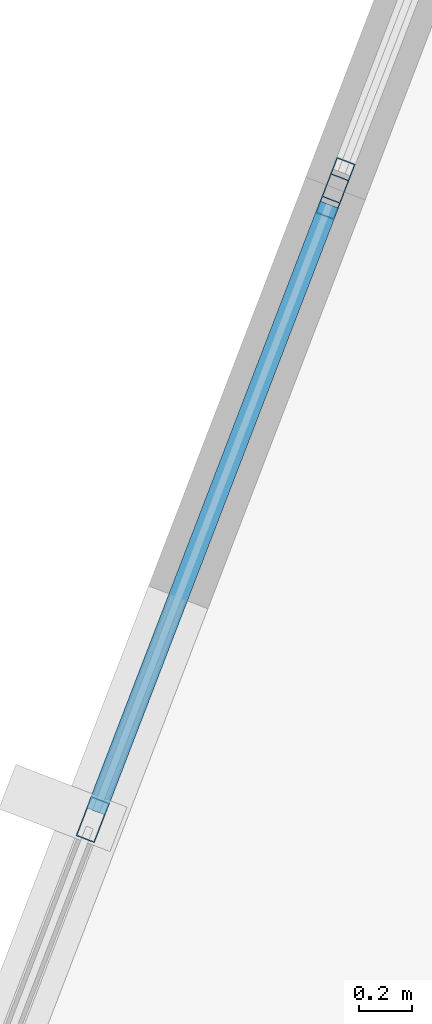
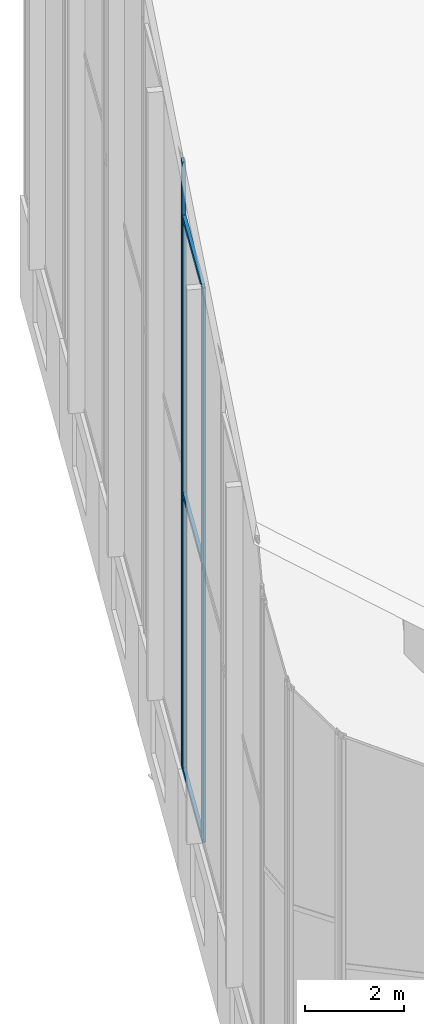
# One storey, part 15 of 74: 6 members, 2 elements without a shape of their own.
"""IFC4 building model written with IfcOpenShell, lengths in metres."""

from ifc_helpers import new_model, si_unit, direction, frame, origin, origin_2d, place, context, subcontext, project, spatial, hollow_rectangle, extrude, material, layer, layer_set, material_profile, profile_set, type_object, element, aggregate, save


model = new_model("IFC4")

# Units and contexts
model_context = context("Model", 3, precision=1e-05, world=origin(), true_north=direction((0.0, 1.0)))
body_context = subcontext(model_context, "Body", "Model", "MODEL_VIEW")
ifc_project = project(units=[si_unit("LENGTHUNIT", "METRE"), si_unit("AREAUNIT", "SQUARE_METRE"), si_unit("VOLUMEUNIT", "CUBIC_METRE"), si_unit("PLANEANGLEUNIT", "RADIAN"), si_unit("MASSUNIT", "GRAM", prefix="KILO")], contexts=[model_context])

# Site, building, storey
site_placement = place(None, origin())
site = spatial("IfcSite", under=ifc_project, at=site_placement, CompositionType="ELEMENT")
building_placement = place(site_placement, origin())
building = spatial("IfcBuilding", under=site, at=building_placement, Name="Keshet Zoharim Tower", CompositionType="ELEMENT")
storey_placement = place(building_placement, frame((0.0, 0.0, 320.0)))
storey = spatial("IfcBuildingStorey", under=building, at=storey_placement, Name="RF", CompositionType="ELEMENT", Elevation=320.0)

# Curtain wall, members
ifc_material = material(Name="Aluminium 6063-T6", Category="aluminium")
ifc_layer = layer(ifc_material, 0.260009765625)
ifc_layer_set = layer_set([ifc_layer], Name="Aluminium 6063-T6")
curtain_wall_type = type_object("IfcCurtainWallType", Name="CW-SYS-06", PredefinedType="NOTDEFINED", material=ifc_layer_set)
curtain_wall_1_placement = place(storey_placement, origin())
curtain_wall_1 = element("IfcCurtainWall", 1, at=curtain_wall_1_placement, inside=storey, type_object=curtain_wall_type, Name="Slanted Crown Curtain Wall 04", PredefinedType="NOTDEFINED")
ifc_material_profile_1 = material_profile(ifc_material, hollow_rectangle(XDim=0.074951171875, YDim=0.159912109375, WallThickness=0.00390625, at=origin_2d()), Name="MUL-75x160")
ifc_profile_set_1 = profile_set([ifc_material_profile_1], Name="Aluminium 6063-T6")
member_type_1 = type_object("IfcMemberType", Name="CWM-M15", PredefinedType="MULLION", material=ifc_profile_set_1)
member_1_placement = place(storey_placement, frame((6.24951171875, 31.1494140625, 2.5), z_axis=(0.0, 0.0, 1.0), x_axis=(-0.933345606206, 0.358979079302, 0.0)))
member_1 = element("IfcMember", 2, at=member_1_placement, type_object=member_type_1, Name="CW-06 mullion 2", PredefinedType="MULLION", context=body_context, shape_type="SweptSolid", body=[
    extrude(hollow_rectangle(XDim=0.074951171875, YDim=0.159912109375, WallThickness=0.00390625, at=origin_2d()), origin(), (0.0, 0.0, 1.0), 13.654052734375),
])
member_2_placement = place(storey_placement, frame((7.1552734375, 33.504638671875, 2.5), z_axis=(0.0, 0.0, 1.0), x_axis=(-0.933345606206, 0.358979079302, 0.0)))
member_2 = element("IfcMember", 3, at=member_2_placement, type_object=member_type_1, Name="CW-06 mullion 3", PredefinedType="MULLION", context=body_context, shape_type="SweptSolid", body=[
    extrude(hollow_rectangle(XDim=0.074951171875, YDim=0.159912109375, WallThickness=0.00390625, at=origin_2d()), origin(), (0.0, 0.0, 1.0), 13.654052734375),
])

# Curtain wall, member
curtain_wall_2_placement = place(storey_placement, origin())
curtain_wall_2 = element("IfcCurtainWall", 4, at=curtain_wall_2_placement, inside=storey, type_object=curtain_wall_type, Name="Slanted Crown Curtain Wall 05", PredefinedType="NOTDEFINED")
member_3_placement = place(storey_placement, frame((7.1787109375, 33.5654296875, 2.5), z_axis=(0.0, 0.0, 1.0), x_axis=(-0.933345606206, 0.358979079302, 0.0)))
member_3 = element("IfcMember", 5, at=member_3_placement, type_object=member_type_1, Name="CW-06 mullion 1", PredefinedType="MULLION", context=body_context, shape_type="SweptSolid", body=[
    extrude(hollow_rectangle(XDim=0.074951171875, YDim=0.159912109375, WallThickness=0.00390625, at=origin_2d()), origin(), (0.0, 0.0, 1.0), 14.98095703125),
])
aggregate(curtain_wall_2, [member_3])

# Member
ifc_material_profile_2 = material_profile(ifc_material, hollow_rectangle(XDim=0.074951171875, YDim=0.1201171875, WallThickness=0.00390625, at=origin_2d()), Name="TRN-75x120")
ifc_profile_set_2 = profile_set([ifc_material_profile_2], Name="Aluminium 6063-T6")
member_type_2 = type_object("IfcMemberType", Name="CWT-T12", PredefinedType="USERDEFINED", material=ifc_profile_set_2)
member_4_placement = place(storey_placement, frame((6.26123046875, 31.179931640625, 2.532470703125), z_axis=(0.358925837482, 0.933366082086, 0.0), x_axis=(-0.933366082086, 0.358925837482, 0.0)))
member_4 = element("IfcMember", 6, at=member_4_placement, type_object=member_type_2, Name="CW-06 transom 2.1", ObjectType="TRANSOM", PredefinedType="USERDEFINED", context=body_context, shape_type="SweptSolid", body=[
    extrude(hollow_rectangle(XDim=0.074951171875, YDim=0.1201171875, WallThickness=0.00390625, at=origin_2d()), origin(), (0.0, 0.0, 1.0), 2.458251953125),
])

member_5_placement = place(storey_placement, frame((6.26123046875, 31.179931640625, 9.326904296875), z_axis=(0.358925837482, 0.933366082086, 0.0), x_axis=(-0.933366082086, 0.358925837482, 0.0)))
member_5 = element("IfcMember", 7, at=member_5_placement, type_object=member_type_2, Name="CW-06 transom 2.2", ObjectType="TRANSOM", PredefinedType="USERDEFINED", context=body_context, shape_type="SweptSolid", body=[
    extrude(hollow_rectangle(XDim=0.074951171875, YDim=0.1201171875, WallThickness=0.00390625, at=origin_2d()), origin(), (0.0, 0.0, 1.0), 2.458251953125),
])

member_6_placement = place(storey_placement, frame((6.26123046875, 31.179931640625, 16.12158203125), z_axis=(0.358925837482, 0.933366082086, 0.0), x_axis=(-0.933366082086, 0.358925837482, 0.0)))
member_6 = element("IfcMember", 8, at=member_6_placement, type_object=member_type_2, Name="CW-06 transom 2.3", ObjectType="TRANSOM", PredefinedType="USERDEFINED", context=body_context, shape_type="SweptSolid", body=[
    extrude(hollow_rectangle(XDim=0.074951171875, YDim=0.1201171875, WallThickness=0.00390625, at=origin_2d()), origin(), (0.0, 0.0, 1.0), 2.458251953125),
])

aggregate(curtain_wall_1, [member_1, member_2, member_4, member_5, member_6])

save(model, "model.ifc")
